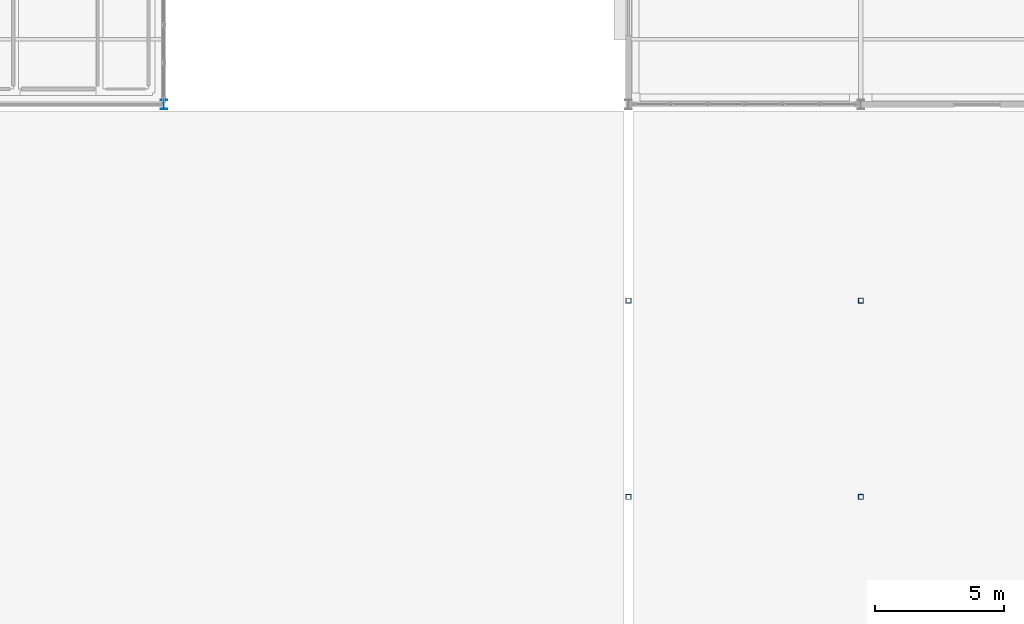
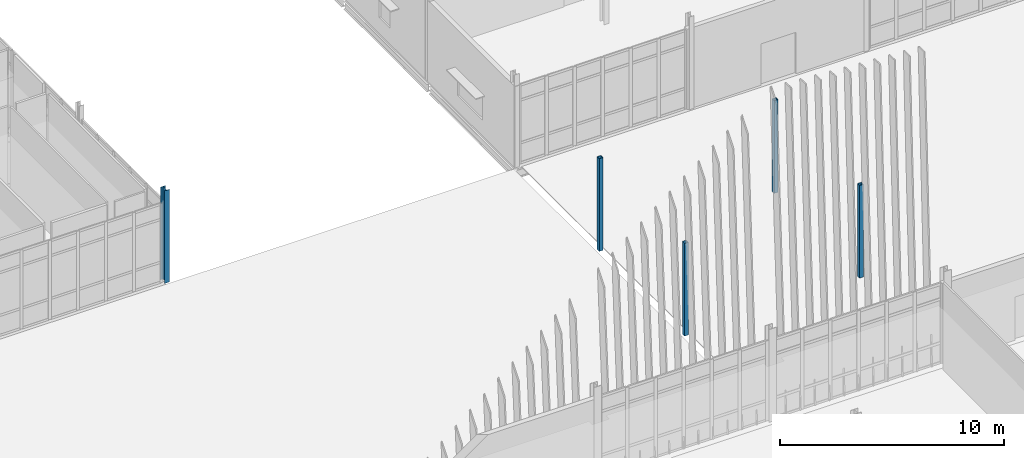
# One storey, part 16 of 161: 5 columns.
"""IFC4 building model written with IfcOpenShell, lengths in metres."""

import ifcopenshell
import ifcopenshell.guid

model = None  # the IFC model being written
_history = None  # IfcOwnerHistory: only IFC2X3 demands one
_inside = {}  # id of a spatial element -> (the spatial element, [elements in it])
_under = {}  # id of a project, library or spatial element -> (it, [spatial elements below it])
_declared = {}  # id of a project -> (the project, [libraries it declares])
_typed = {}  # id of a type object -> (the type object, [elements of that type])
_made_of = {}  # id of a material, layer set ... -> (it, [elements and type objects made of it])


def new_model(schema):
    """Start an empty IFC model of exactly this schema.

    Asked for "IFC4X3", IfcOpenShell would pick the latest addendum, in which some entities
    have other attributes; the version numbers below select the first issue.
    IFC2X3 requires an IfcOwnerHistory on every rooted entity: one is made here for all.
    """
    global model, _history
    if schema == "IFC4X3":
        model = ifcopenshell.file(schema_version=(4, 3, 0, 0))
    else:
        model = ifcopenshell.file(schema=schema)
    _inside.clear()
    _under.clear()
    _declared.clear()
    _typed.clear()
    _made_of.clear()
    _history = None
    if model.schema == "IFC2X3":
        org = make("IfcOrganization", Name="unknown")
        user = make(
            "IfcPersonAndOrganization",
            ThePerson=make("IfcPerson", FamilyName="unknown"),
            TheOrganization=org,
        )
        app = make(
            "IfcApplication",
            ApplicationDeveloper=org,
            Version="unknown",
            ApplicationFullName="unknown",
            ApplicationIdentifier="unknown",
        )
        _history = make(
            "IfcOwnerHistory",
            OwningUser=user,
            OwningApplication=app,
            ChangeAction="ADDED",
            CreationDate=0,
        )
    return model


def make(cls, **values):
    """One entity of the class cls with the attributes given. An attribute that is None is left unset."""
    return model.create_entity(
        cls, **{name: value for name, value in values.items() if value is not None}
    )


def rooted(cls, **values):
    """An entity with a GlobalId (a new one), such as an element, a storey or a relation."""
    return make(cls, GlobalId=ifcopenshell.guid.new(), OwnerHistory=_history, **values)


def si_unit(unit_type, name, prefix=None):
    """IfcSIUnit, for example si_unit("LENGTHUNIT", "METRE", prefix="MILLI")."""
    return make("IfcSIUnit", UnitType=unit_type, Prefix=prefix, Name=name)


def assignment(units):
    """IfcUnitAssignment: the units of a project."""
    return None if units is None else make("IfcUnitAssignment", Units=units)


def point(xyz):
    """IfcCartesianPoint."""
    return None if xyz is None else make("IfcCartesianPoint", Coordinates=xyz)


def direction(xyz):
    """IfcDirection."""
    return None if xyz is None else make("IfcDirection", DirectionRatios=xyz)


def frame(location, z_axis=None, x_axis=None):
    """IfcAxis2Placement3D, a coordinate frame: its origin and axes. An axis left out is left unset."""
    return make(
        "IfcAxis2Placement3D",
        Location=point(location),
        Axis=direction(z_axis),
        RefDirection=direction(x_axis),
    )


def frame_2d(location, x_axis=None):
    """IfcAxis2Placement2D, a coordinate frame in the plane: its origin and x axis."""
    return make(
        "IfcAxis2Placement2D", Location=point(location), RefDirection=direction(x_axis)
    )


def origin():
    """The frame at (0, 0, 0) with its axes left unset."""
    return frame((0.0, 0.0, 0.0))


def origin_2d():
    """The frame at (0, 0) in the plane with its x axis left unset."""
    return frame_2d((0.0, 0.0))


def place(relative_to, where):
    """IfcLocalPlacement: puts the frame where relative to a parent placement (None: the world)."""
    return make(
        "IfcLocalPlacement", PlacementRelTo=relative_to, RelativePlacement=where
    )


def context(
    kind, dimensions, precision=None, world=None, true_north=None, identifier=None
):
    """IfcGeometricRepresentationContext, for example the 3D "Model" context."""
    return make(
        "IfcGeometricRepresentationContext",
        ContextIdentifier=identifier,
        ContextType=kind,
        CoordinateSpaceDimension=dimensions,
        Precision=precision,
        WorldCoordinateSystem=world,
        TrueNorth=true_north,
    )


def subcontext(parent, identifier, kind, view, scale=None):
    """IfcGeometricRepresentationSubContext, for example "Body" below "Model"."""
    return make(
        "IfcGeometricRepresentationSubContext",
        ContextIdentifier=identifier,
        ContextType=kind,
        ParentContext=parent,
        TargetScale=scale,
        TargetView=view,
    )


def project(units=None, contexts=None):
    """IfcProject with its units and contexts."""
    return rooted(
        "IfcProject",
        Name="project",
        RepresentationContexts=contexts,
        UnitsInContext=assignment(units),
    )


def spatial(cls, under=None, at=None, **own):
    """A site, building, storey or space (cls), placed at a placement, below another one or the project."""
    s = rooted(cls, ObjectPlacement=at, **own)
    if under is not None:
        _under.setdefault(under.id(), (under, []))[1].append(s)
    return s


def profile(cls, at=None, kind="AREA", **sizes):
    """A parametric profile (cls). Its sizes go by their IFC names, for example OverallWidth=200.0."""
    return make(cls, ProfileType=kind, Position=at, **sizes)


def hollow_rectangle(**sizes):
    """IfcRectangleHollowProfileDef."""
    return profile("IfcRectangleHollowProfileDef", **sizes)


def i_section(**sizes):
    """IfcIShapeProfileDef."""
    return profile("IfcIShapeProfileDef", **sizes)


def extrude(swept, where, along, depth):
    """IfcExtrudedAreaSolid: the profile swept, set in the frame where, extruded along a direction by depth."""
    return make(
        "IfcExtrudedAreaSolid",
        SweptArea=swept,
        Position=where,
        ExtrudedDirection=direction(along),
        Depth=depth,
    )


def shape(context_of_items, identifier, shape_type, items):
    """IfcShapeRepresentation: the items that make up one representation, for example the "Body"."""
    return make(
        "IfcShapeRepresentation",
        ContextOfItems=context_of_items,
        RepresentationIdentifier=identifier,
        RepresentationType=shape_type,
        Items=items,
    )


def material(Name=None, Category=None):
    """IfcMaterial."""
    return make("IfcMaterial", Name=Name, Category=Category)


def material_profile(
    of_material, cross_section, Name=None, Category=None, Priority=None
):
    """IfcMaterialProfile: a cross section and its material."""
    return make(
        "IfcMaterialProfile",
        Name=Name,
        Material=of_material,
        Profile=cross_section,
        Priority=Priority,
        Category=Category,
    )


def profile_set(profiles, Name=None, composite=None):
    """IfcMaterialProfileSet."""
    return make(
        "IfcMaterialProfileSet",
        Name=Name,
        MaterialProfiles=profiles,
        CompositeProfile=composite,
    )


def made_of(thing, what):
    """Note that an element or type object is made of a material, layer set ...; save() writes the relation."""
    if what is not None:
        _made_of.setdefault(what.id(), (what, []))[1].append(thing)
    return thing


def type_object(cls, material=None, **own):
    """A type object (cls), such as IfcWallType, which elements share."""
    return made_of(rooted(cls, **own), material)


def element(
    cls,
    number,
    at=None,
    inside=None,
    cuts=None,
    type_object=None,
    material=None,
    context=None,
    identifier="Body",
    shape_type=None,
    held_by="IfcProductDefinitionShape",
    body=None,
    shapes=None,
    **own,
):
    """One element of the class cls, such as IfcWall. Its Tag is "e" and its number.

    at: its placement. inside: the storey or other place that contains it. cuts: it is an
    opening in that element (IfcRelVoidsElement). A single representation is given by context,
    identifier, shape_type and body (its items); several are given by shapes. held_by: the class
    of the entity that holds the representations. save() writes the other relations.
    """
    e = rooted(cls, Tag="e%d" % number, ObjectPlacement=at, **own)
    if body is not None:
        shapes = [shape(context, identifier, shape_type, body)]
    if shapes is not None:
        e.Representation = make(held_by, Representations=shapes)
    if inside is not None:
        _inside.setdefault(inside.id(), (inside, []))[1].append(e)
    if cuts is not None:
        rooted(
            "IfcRelVoidsElement", RelatingBuildingElement=cuts, RelatedOpeningElement=e
        )
    if type_object is not None:
        _typed.setdefault(type_object.id(), (type_object, []))[1].append(e)
    return made_of(e, material)


def aggregate(whole, parts):
    """IfcRelAggregates: a whole, such as a stair, and the parts it consists of."""
    return rooted("IfcRelAggregates", RelatingObject=whole, RelatedObjects=parts)


def save(model, path):
    """Write the relations noted so far, then the file.

    IfcRelAggregates (storeys below a building ...), IfcRelContainedInSpatialStructure (elements
    in a storey), IfcRelDefinesByType, IfcRelAssociatesMaterial and IfcRelDeclares: one each for
    every whole, place, type object, material and project.
    """
    for whole, parts in _under.values():
        aggregate(whole, parts)
    for where, things in _inside.values():
        rooted(
            "IfcRelContainedInSpatialStructure",
            RelatedElements=things,
            RelatingStructure=where,
        )
    for kind, things in _typed.values():
        rooted("IfcRelDefinesByType", RelatedObjects=things, RelatingType=kind)
    for what, things in _made_of.values():
        rooted("IfcRelAssociatesMaterial", RelatedObjects=things, RelatingMaterial=what)
    for by, libraries in _declared.values():
        rooted("IfcRelDeclares", RelatingContext=by, RelatedDefinitions=libraries)
    model.write(path)


model = new_model("IFC4")

# Units and contexts
model_context = context("Model", 3, precision=1e-05, world=origin(), true_north=direction((0.0, 1.0)))
body_context = subcontext(model_context, "Body", "Model", "MODEL_VIEW")
ifc_project = project(units=[si_unit("LENGTHUNIT", "METRE"), si_unit("AREAUNIT", "SQUARE_METRE"), si_unit("VOLUMEUNIT", "CUBIC_METRE"), si_unit("PLANEANGLEUNIT", "RADIAN"), si_unit("MASSUNIT", "GRAM", prefix="KILO")], contexts=[model_context])

# Site, building, storey
site_placement = place(None, origin())
site = spatial("IfcSite", under=ifc_project, at=site_placement, CompositionType="ELEMENT")
building_placement = place(site_placement, origin())
building = spatial("IfcBuilding", under=site, at=building_placement, Name="Caisbarro Railhouse Central Library", CompositionType="ELEMENT")
storey_placement = place(building_placement, origin())
storey = spatial("IfcBuildingStorey", under=building, at=storey_placement, Name="L00", CompositionType="ELEMENT", Elevation=0.0)

# Columns
ifc_material = material(Name="Steel ASTM A572 Grade 50", Category="steel")
ifc_material_profile_1 = material_profile(ifc_material, i_section(OverallWidth=0.25390625, OverallDepth=0.35302734375, WebThickness=0.009521484375, FlangeThickness=0.016357421875, FilletRadius=0.014892578125, at=origin_2d()), Name="W360X91.0")
ifc_profile_set_1 = profile_set([ifc_material_profile_1], Name="Steel ASTM A572 Grade 50")
column_type_1 = type_object("IfcColumnType", Name="COL-C05", PredefinedType="COLUMN", material=ifc_profile_set_1)
column_placement = place(storey_placement, frame((36.0, 83.60009765625, 0.0), z_axis=(0.0, 0.0, 1.0), x_axis=(1.0, 0.0, 0.0)))
element("IfcColumn", 1, at=column_placement, inside=storey, type_object=column_type_1, Name="C05 column L00 (36.0,83.6)", PredefinedType="COLUMN", context=body_context, shape_type="SweptSolid", body=[
    extrude(i_section(OverallWidth=0.25390625, OverallDepth=0.35302734375, WebThickness=0.009521484375, FlangeThickness=0.016357421875, FilletRadius=0.014892578125, at=origin_2d()), origin(), (0.0, 0.0, 1.0), 5.0400390625),
])
ifc_material_profile_2 = material_profile(ifc_material, hollow_rectangle(XDim=0.199951171875, YDim=0.199951171875, WallThickness=0.012451171875, at=origin_2d()), Name="HSS200X200X12.5")
ifc_profile_set_2 = profile_set([ifc_material_profile_2], Name="Steel ASTM A572 Grade 50")
column_type_2 = type_object("IfcColumnType", Name="COL-C10", PredefinedType="COLUMN", material=ifc_profile_set_2)
for number, where, z_axis, x_axis, name in (
    (2, (54.0, 68.39990234375, 0.0), (0.0, 0.0, 1.0), (1.0, 0.0, 0.0), "C10 column L00 (54.0,68.4)"),
    (3, (54.0, 76.0, 0.0), (0.0, 0.0, 1.0), (1.0, 0.0, 0.0), "C10 column L00 (54.0,76.0)"),
    (4, (63.0, 68.39990234375, 0.0), (0.0, 0.0, 1.0), (1.0, 0.0, 0.0), "C10 column L00 (63.0,68.4)"),
    (5, (63.0, 76.0, 0.0), (0.0, 0.0, 1.0), (1.0, 0.0, 0.0), "C10 column L00 (63.0,76.0)"),
):
    element("IfcColumn", number, at=place(storey_placement, frame(where, z_axis=z_axis, x_axis=x_axis)), inside=storey, type_object=column_type_2, Name=name, PredefinedType="COLUMN", context=body_context, shape_type="SweptSolid", body=[
        extrude(hollow_rectangle(XDim=0.199951171875, YDim=0.199951171875, WallThickness=0.012451171875, at=origin_2d()), origin(), (0.0, 0.0, 1.0), 5.0400390625),
    ])

save(model, "model.ifc")
